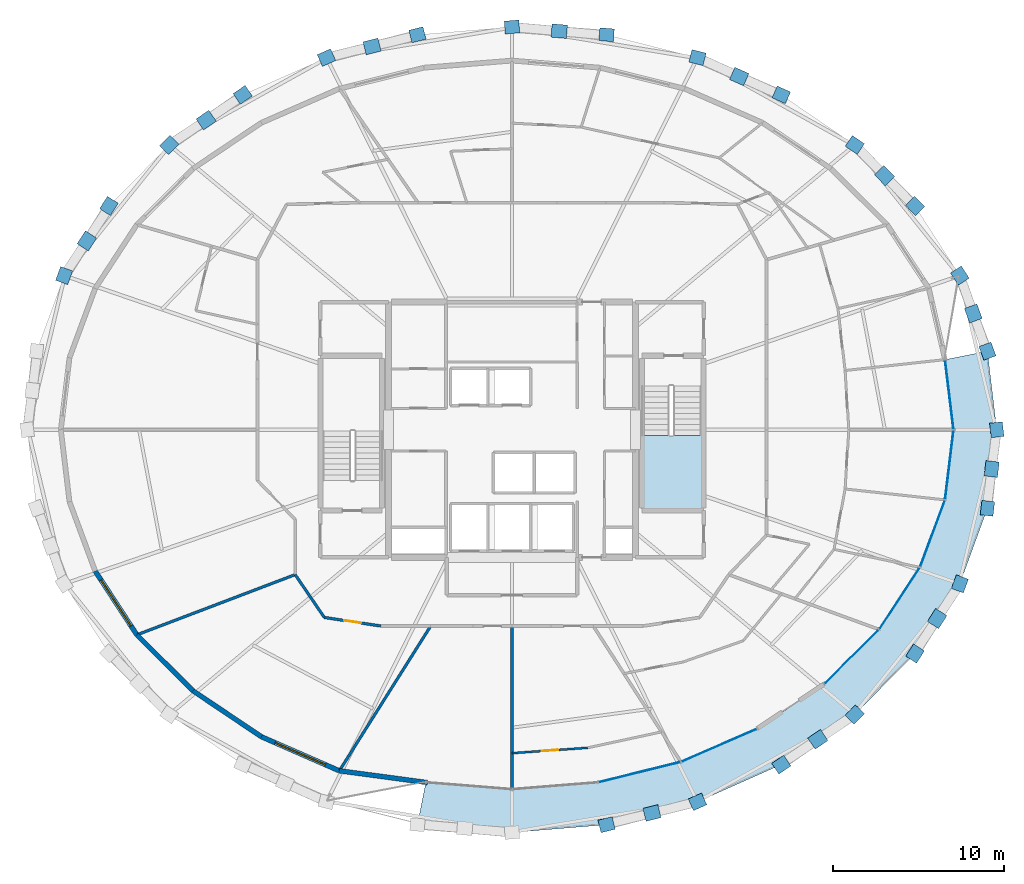
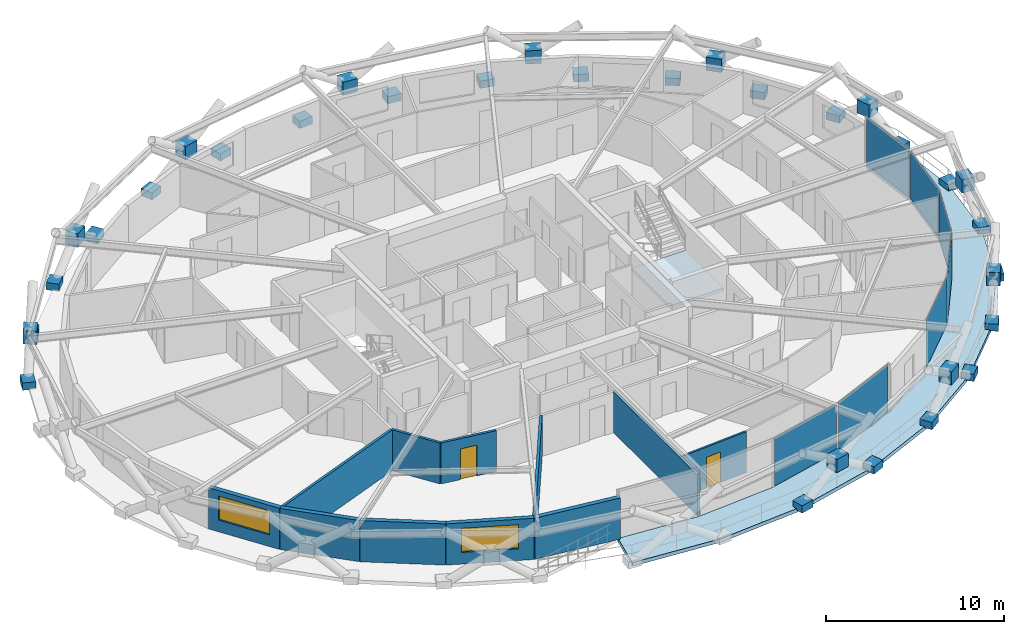
# One storey, part 14 of 20: 40 plates, 11 walls, 2 doors, 2 slabs, 2 windows, 4 openings, 3 elements without a shape of their own.
"""IFC4 building model written with IfcOpenShell, lengths in metres."""

from ifc_helpers import new_model, si_unit, direction, frame, frame_2d, origin, origin_2d, place, context, subcontext, project, spatial, polyline, rectangle, outline, extrude, material, layer, layer_set, type_object, element, fill, aggregate, save


model = new_model("IFC4")

# Units and contexts
model_context = context("Model", 3, precision=1e-05, world=origin(), true_north=direction((0.0, 1.0)))
body_context = subcontext(model_context, "Body", "Model", "MODEL_VIEW")
ifc_project = project(units=[si_unit("LENGTHUNIT", "METRE"), si_unit("AREAUNIT", "SQUARE_METRE"), si_unit("VOLUMEUNIT", "CUBIC_METRE"), si_unit("PLANEANGLEUNIT", "RADIAN"), si_unit("MASSUNIT", "GRAM", prefix="KILO")], contexts=[model_context])

# Site, building, storey
site_placement = place(None, origin())
site = spatial("IfcSite", under=ifc_project, at=site_placement, CompositionType="ELEMENT")
building_placement = place(site_placement, origin())
building = spatial("IfcBuilding", under=site, at=building_placement, Name="Veldorina Hangang Commons", CompositionType="ELEMENT")
storey_placement = place(building_placement, frame((0.0, 0.0, 153.199951171875)))
storey = spatial("IfcBuildingStorey", under=building, at=storey_placement, Name="L39", CompositionType="ELEMENT", Elevation=153.199951171875)

# Curtain wall, plates
ifc_material_1 = material(Name="Glass Low-E Triple IGU", Category="glass")
ifc_layer_1 = layer(ifc_material_1, 0.179931640625)
ifc_layer_set_1 = layer_set([ifc_layer_1], Name="Glass Low-E Triple IGU")
curtain_wall_type = type_object("IfcCurtainWallType", Name="CW-SYS-Z2", PredefinedType="NOTDEFINED", material=ifc_layer_set_1)
curtain_wall_1_placement = place(storey_placement, origin())
curtain_wall_1 = element("IfcCurtainWall", 1, at=curtain_wall_1_placement, inside=storey, type_object=curtain_wall_type, Name="L39 unitised curtain wall CW-L39-R1", PredefinedType="NOTDEFINED")
ifc_layer_2 = layer(ifc_material_1, 0.0400390625)
ifc_layer_set_2 = layer_set([ifc_layer_2], Name="Glass Low-E Triple IGU")
plate_type_1 = type_object("IfcPlateType", Name="CW-PNL-VIS", PredefinedType="CURTAIN_PANEL", material=ifc_layer_set_2)
plate_1_placement = place(storey_placement, frame((39.44189453125, 4.0234375, 0.01513671875), z_axis=(0.0, 0.0, 1.0), x_axis=(0.970825393657, 0.239787520592, 0.0)))
plate_1 = element("IfcPlate", 2, at=plate_1_placement, type_object=plate_type_1, Name="CW-L39-R1 facet 3 glazed vision panel", PredefinedType="CURTAIN_PANEL", context=body_context, shape_type="SweptSolid", body=[
    extrude(rectangle(XDim=4.7978515625, YDim=0.0400390625, at=origin_2d()), origin(), (0.0, 0.0, 1.0), 3.280029296875),
])
plate_2_placement = place(storey_placement, frame((44.0849609375, 5.589599609375, 0.01513671875), z_axis=(0.0, 0.0, 1.0), x_axis=(0.916906898134, 0.399101165312, 0.0)))
plate_2 = element("IfcPlate", 3, at=plate_2_placement, type_object=plate_type_1, Name="CW-L39-R1 facet 4 glazed vision panel", PredefinedType="CURTAIN_PANEL", context=body_context, shape_type="SweptSolid", body=[
    extrude(rectangle(XDim=4.67724609375, YDim=0.0400390625, at=origin_2d()), origin(), (0.0, 0.0, 1.0), 3.280029296875),
])
aggregate(curtain_wall_1, [plate_1, plate_2])

curtain_wall_2_placement = place(storey_placement, origin())
curtain_wall_2 = element("IfcCurtainWall", 4, at=curtain_wall_2_placement, inside=storey, type_object=curtain_wall_type, Name="L39 unitised curtain wall CW-L39-R2", PredefinedType="NOTDEFINED")
plate_3_placement = place(storey_placement, frame((51.8173828125, 10.7568359375, 0.01513671875), z_axis=(0.0, 0.0, 1.0), x_axis=(0.709865830765, 0.70433692386, 0.0)))
plate_3 = element("IfcPlate", 5, at=plate_3_placement, type_object=plate_type_1, Name="CW-L39-R2 facet 1 glazed vision panel", PredefinedType="CURTAIN_PANEL", context=body_context, shape_type="SweptSolid", body=[
    extrude(rectangle(XDim=4.3330078125, YDim=0.0400390625, at=origin_2d()), origin(), (0.0, 0.0, 1.0), 3.280029296875),
])
plate_4_placement = place(storey_placement, frame((54.609375, 14.159423828125, 0.01513671875), z_axis=(0.0, 0.0, 1.0), x_axis=(0.548745623599, 0.83598937827, 0.0)))
plate_4 = element("IfcPlate", 6, at=plate_4_placement, type_object=plate_type_1, Name="CW-L39-R2 facet 2 glazed vision panel", PredefinedType="CURTAIN_PANEL", context=body_context, shape_type="SweptSolid", body=[
    extrude(rectangle(XDim=4.158203125, YDim=0.0400390625, at=origin_2d()), origin(), (0.0, 0.0, 1.0), 3.280029296875),
])
plate_5_placement = place(storey_placement, frame((56.53271484375, 17.940185546875, 0.01513671875), z_axis=(0.0, 0.0, 1.0), x_axis=(0.349095469945, 0.937087163963, 0.0)))
plate_5 = element("IfcPlate", 7, at=plate_5_placement, type_object=plate_type_1, Name="CW-L39-R2 facet 3 glazed vision panel", PredefinedType="CURTAIN_PANEL", context=body_context, shape_type="SweptSolid", body=[
    extrude(rectangle(XDim=4.019287109375, YDim=0.0400390625, at=origin_2d()), origin(), (0.0, 0.0, 1.0), 3.280029296875),
])
plate_6_placement = place(storey_placement, frame((57.51318359375, 21.953857421875, 0.01513671875), z_axis=(0.0, 0.0, 1.0), x_axis=(0.120084858017, 0.992763630919, 0.0)))
plate_6 = element("IfcPlate", 8, at=plate_6_placement, type_object=plate_type_1, Name="CW-L39-R2 facet 4 glazed vision panel", PredefinedType="CURTAIN_PANEL", context=body_context, shape_type="SweptSolid", body=[
    extrude(rectangle(XDim=3.942138671875, YDim=0.0400390625, at=origin_2d()), origin(), (0.0, 0.0, 1.0), 3.280029296875),
])
plate_7_placement = place(storey_placement, frame((57.51318359375, 26.046142578125, 0.01513671875), z_axis=(0.0, 0.0, 1.0), x_axis=(-0.120084858017, 0.992763630919, 0.0)))
plate_7 = element("IfcPlate", 9, at=plate_7_placement, type_object=plate_type_1, Name="CW-L39-R2 facet 5 glazed vision panel", PredefinedType="CURTAIN_PANEL", context=body_context, shape_type="SweptSolid", body=[
    extrude(rectangle(XDim=3.942138671875, YDim=0.0400390625, at=origin_2d()), origin(), (0.0, 0.0, 1.0), 3.280029296875),
])
aggregate(curtain_wall_2, [plate_3, plate_4, plate_5, plate_6, plate_7])

# Plates
ifc_material_2 = material(Name="Steel SM460-TMC", Category="steel")
ifc_layer_3 = layer(ifc_material_2, 0.035888671875)
ifc_layer_set_3 = layer_set([ifc_layer_3], Name="Steel SM460-TMC")
plate_type_2 = type_object("IfcPlateType", Name="PL-STAR-36", PredefinedType="USERDEFINED", material=ifc_layer_set_3)
for number, where, z_axis, x_axis, name in (
    (10, (60.280517578125, 24.0, -0.08984375), (0.0, 0.0, 1.0), (-0.117728050748, 0.993045873093, 0.0), "L39 diagrid star-node gusset plate 00"),
    (11, (59.7373046875, 28.583984375, -0.08984375), (0.0, 0.0, 1.0), (-0.342954815543, 0.939351901311, 0.0), "L39 diagrid star-node gusset plate 01"),
):
    element("IfcPlate", number, at=place(storey_placement, frame(where, z_axis=z_axis, x_axis=x_axis)), inside=storey, type_object=plate_type_2, Name=name, ObjectType="GUSSET PLATE", PredefinedType="USERDEFINED", context=body_context, shape_type="SweptSolid", body=[
        extrude(rectangle(XDim=0.85009765625, YDim=0.75, at=origin_2d()), origin(), (0.0, 0.0, 1.0), 0.5),
    ])
plate_8_placement = place(storey_placement, frame((58.910888671875, 30.783203125, 1.351318359375), z_axis=(0.0, 0.0, 1.0), x_axis=(-0.342954815543, 0.939351901311, 0.0)))
element("IfcPlate", 12, at=plate_8_placement, inside=storey, type_object=plate_type_2, Name="L39 diagrid X-crossing star-node gusset plate 01", ObjectType="GUSSET PLATE", PredefinedType="USERDEFINED", context=body_context, shape_type="SweptSolid", body=[
    extrude(rectangle(XDim=0.89990234375, YDim=0.780029296875, at=origin_2d()), origin(), (0.0, 0.0, 1.0), 0.89990234375),
])
for number, where, z_axis, x_axis, name in (
    (13, (58.1279296875, 32.99169921875, -0.08984375), (0.0, 0.0, 1.0), (-0.541047863808, 0.840991800834, 0.0), "L39 diagrid star-node gusset plate 02"),
    (14, (55.514404296875, 37.053955078125, -0.08984375), (0.0, 0.0, 1.0), (-0.702749312072, 0.71143756183, 0.0), "L39 diagrid star-node gusset plate 03"),
):
    element("IfcPlate", number, at=place(storey_placement, frame(where, z_axis=z_axis, x_axis=x_axis)), inside=storey, type_object=plate_type_2, Name=name, ObjectType="GUSSET PLATE", PredefinedType="USERDEFINED", context=body_context, shape_type="SweptSolid", body=[
        extrude(rectangle(XDim=0.85009765625, YDim=0.75, at=origin_2d()), origin(), (0.0, 0.0, 1.0), 0.5),
    ])
plate_9_placement = place(storey_placement, frame((53.738525390625, 38.82421875, 1.351318359375), z_axis=(0.0, 0.0, 1.0), x_axis=(-0.702749312072, 0.71143756183, 0.0)))
element("IfcPlate", 15, at=plate_9_placement, inside=storey, type_object=plate_type_2, Name="L39 diagrid X-crossing star-node gusset plate 03", ObjectType="GUSSET PLATE", PredefinedType="USERDEFINED", context=body_context, shape_type="SweptSolid", body=[
    extrude(rectangle(XDim=0.89990234375, YDim=0.780029296875, at=origin_2d()), origin(), (0.0, 0.0, 1.0), 0.89990234375),
])
for number, where, z_axis, x_axis, name in (
    (16, (51.997314453125, 40.614501953125, -0.08984375), (0.0, 0.0, 1.0), (-0.826226133235, 0.563338598677, 0.0), "L39 diagrid star-node gusset plate 04"),
    (17, (47.7119140625, 43.53662109375, -0.08984375), (0.0, 0.0, 1.0), (-0.91393547583, 0.405859515128, 0.0), "L39 diagrid star-node gusset plate 05"),
):
    element("IfcPlate", number, at=place(storey_placement, frame(where, z_axis=z_axis, x_axis=x_axis)), inside=storey, type_object=plate_type_2, Name=name, ObjectType="GUSSET PLATE", PredefinedType="USERDEFINED", context=body_context, shape_type="SweptSolid", body=[
        extrude(rectangle(XDim=0.85009765625, YDim=0.75, at=origin_2d()), origin(), (0.0, 0.0, 1.0), 0.5),
    ])
plate_10_placement = place(storey_placement, frame((45.256591796875, 44.608154296875, 1.3515625), z_axis=(0.0, 0.0, 1.0), x_axis=(-0.91393547583, 0.405859515128, 0.0)))
element("IfcPlate", 18, at=plate_10_placement, inside=storey, type_object=plate_type_2, Name="L39 diagrid X-crossing star-node gusset plate 05", ObjectType="GUSSET PLATE", PredefinedType="USERDEFINED", context=body_context, shape_type="SweptSolid", body=[
    extrude(rectangle(XDim=0.89990234375, YDim=0.780029296875, at=origin_2d()), origin(), (0.0, 0.0, 1.0), 0.89990234375),
])
for number, where, z_axis, x_axis, name in (
    (19, (42.822509765625, 45.707763671875, -0.08984375), (0.0, 0.0, 1.0), (-0.969676116063, 0.244393596348, 0.0), "L39 diagrid star-node gusset plate 06"),
    (20, (37.517333984375, 47.044921875, -0.08984375), (0.0, 0.0, 1.0), (-0.996668775476, 0.081555821314, 0.0), "L39 diagrid star-node gusset plate 07"),
):
    element("IfcPlate", number, at=place(storey_placement, frame(where, z_axis=z_axis, x_axis=x_axis)), inside=storey, type_object=plate_type_2, Name=name, ObjectType="GUSSET PLATE", PredefinedType="USERDEFINED", context=body_context, shape_type="SweptSolid", body=[
        extrude(rectangle(XDim=0.85009765625, YDim=0.75, at=origin_2d()), origin(), (0.0, 0.0, 1.0), 0.5),
    ])
plate_11_placement = place(storey_placement, frame((34.75634765625, 47.2548828125, 1.3515625), z_axis=(0.0, 0.0, 1.0), x_axis=(-0.996668775476, 0.081555821314, 0.0)))
element("IfcPlate", 21, at=plate_11_placement, inside=storey, type_object=plate_type_2, Name="L39 diagrid X-crossing star-node gusset plate 07", ObjectType="GUSSET PLATE", PredefinedType="USERDEFINED", context=body_context, shape_type="SweptSolid", body=[
    extrude(rectangle(XDim=0.89990234375, YDim=0.780029296875, at=origin_2d()), origin(), (0.0, 0.0, 1.0), 0.89990234375),
])
for number, where, z_axis, x_axis, name in (
    (22, (32.0, 47.496337890625, -0.08984375), (0.0, 0.0, 1.0), (-0.996668775476, -0.081555821314, 0.0), "L39 diagrid star-node gusset plate 08"),
    (23, (26.482666015625, 47.044921875, -0.08984375), (0.0, 0.0, 1.0), (-0.969676116063, -0.244393596348, 0.0), "L39 diagrid star-node gusset plate 09"),
):
    element("IfcPlate", number, at=place(storey_placement, frame(where, z_axis=z_axis, x_axis=x_axis)), inside=storey, type_object=plate_type_2, Name=name, ObjectType="GUSSET PLATE", PredefinedType="USERDEFINED", context=body_context, shape_type="SweptSolid", body=[
        extrude(rectangle(XDim=0.85009765625, YDim=0.75, at=origin_2d()), origin(), (0.0, 0.0, 1.0), 0.5),
    ])
plate_12_placement = place(storey_placement, frame((23.836669921875, 46.361083984375, 1.3515625), z_axis=(0.0, 0.0, 1.0), x_axis=(-0.969676116063, -0.244393596348, 0.0)))
element("IfcPlate", 24, at=plate_12_placement, inside=storey, type_object=plate_type_2, Name="L39 diagrid X-crossing star-node gusset plate 09", ObjectType="GUSSET PLATE", PredefinedType="USERDEFINED", context=body_context, shape_type="SweptSolid", body=[
    extrude(rectangle(XDim=0.89990234375, YDim=0.780029296875, at=origin_2d()), origin(), (0.0, 0.0, 1.0), 0.89990234375),
])
for number, where, z_axis, x_axis, name in (
    (25, (21.177490234375, 45.707763671875, -0.08984375), (0.0, 0.0, 1.0), (-0.91393547583, -0.405859515128, 0.0), "L39 diagrid star-node gusset plate 10"),
    (26, (16.2880859375, 43.53662109375, -0.08984375), (0.0, 0.0, 1.0), (-0.826226133235, -0.563338598677, 0.0), "L39 diagrid star-node gusset plate 11"),
):
    element("IfcPlate", number, at=place(storey_placement, frame(where, z_axis=z_axis, x_axis=x_axis)), inside=storey, type_object=plate_type_2, Name=name, ObjectType="GUSSET PLATE", PredefinedType="USERDEFINED", context=body_context, shape_type="SweptSolid", body=[
        extrude(rectangle(XDim=0.85009765625, YDim=0.75, at=origin_2d()), origin(), (0.0, 0.0, 1.0), 0.5),
    ])
plate_13_placement = place(storey_placement, frame((14.159912109375, 42.06298828125, 1.3515625), z_axis=(0.0, 0.0, 1.0), x_axis=(-0.826226133235, -0.563338598677, 0.0)))
element("IfcPlate", 27, at=plate_13_placement, inside=storey, type_object=plate_type_2, Name="L39 diagrid X-crossing star-node gusset plate 11", ObjectType="GUSSET PLATE", PredefinedType="USERDEFINED", context=body_context, shape_type="SweptSolid", body=[
    extrude(rectangle(XDim=0.89990234375, YDim=0.780029296875, at=origin_2d()), origin(), (0.0, 0.0, 1.0), 0.89990234375),
])
for number, where, z_axis, x_axis, name in (
    (28, (12.002685546875, 40.614501953125, -0.08984375), (0.0, 0.0, 1.0), (-0.702749312072, -0.71143756183, 0.0), "L39 diagrid star-node gusset plate 12"),
    (29, (8.485595703125, 37.053955078125, -0.08984375), (0.0, 0.0, 1.0), (-0.541047863808, -0.840991800834, 0.0), "L39 diagrid star-node gusset plate 13"),
):
    element("IfcPlate", number, at=place(storey_placement, frame(where, z_axis=z_axis, x_axis=x_axis)), inside=storey, type_object=plate_type_2, Name=name, ObjectType="GUSSET PLATE", PredefinedType="USERDEFINED", context=body_context, shape_type="SweptSolid", body=[
        extrude(rectangle(XDim=0.85009765625, YDim=0.75, at=origin_2d()), origin(), (0.0, 0.0, 1.0), 0.5),
    ])
plate_14_placement = place(storey_placement, frame((7.198974609375, 35.01513671875, 1.351318359375), z_axis=(0.0, 0.0, 1.0), x_axis=(-0.541047863808, -0.840991800834, 0.0)))
element("IfcPlate", 30, at=plate_14_placement, inside=storey, type_object=plate_type_2, Name="L39 diagrid X-crossing star-node gusset plate 13", ObjectType="GUSSET PLATE", PredefinedType="USERDEFINED", context=body_context, shape_type="SweptSolid", body=[
    extrude(rectangle(XDim=0.89990234375, YDim=0.780029296875, at=origin_2d()), origin(), (0.0, 0.0, 1.0), 0.89990234375),
])
for number, where, z_axis, x_axis, name in (
    (31, (5.8720703125, 32.99169921875, -0.08984375), (0.0, 0.0, 1.0), (-0.342954815543, -0.939351901311, 0.0), "L39 diagrid star-node gusset plate 14"),
    (32, (37.517333984375, 0.955078125, -0.08984375), (0.0, 0.0, 1.0), (0.969676116063, 0.244393596348, 0.0), "L39 diagrid star-node gusset plate 25"),
):
    element("IfcPlate", number, at=place(storey_placement, frame(where, z_axis=z_axis, x_axis=x_axis)), inside=storey, type_object=plate_type_2, Name=name, ObjectType="GUSSET PLATE", PredefinedType="USERDEFINED", context=body_context, shape_type="SweptSolid", body=[
        extrude(rectangle(XDim=0.85009765625, YDim=0.75, at=origin_2d()), origin(), (0.0, 0.0, 1.0), 0.5),
    ])
plate_15_placement = place(storey_placement, frame((40.163330078125, 1.638916015625, 1.3515625), z_axis=(0.0, 0.0, 1.0), x_axis=(0.969676116063, 0.244393596348, 0.0)))
element("IfcPlate", 33, at=plate_15_placement, inside=storey, type_object=plate_type_2, Name="L39 diagrid X-crossing star-node gusset plate 25", ObjectType="GUSSET PLATE", PredefinedType="USERDEFINED", context=body_context, shape_type="SweptSolid", body=[
    extrude(rectangle(XDim=0.89990234375, YDim=0.780029296875, at=origin_2d()), origin(), (0.0, 0.0, 1.0), 0.89990234375),
])
for number, where, z_axis, x_axis, name in (
    (34, (42.822509765625, 2.292236328125, -0.08984375), (0.0, 0.0, 1.0), (0.91393547583, 0.405859515128, 0.0), "L39 diagrid star-node gusset plate 26"),
    (35, (47.7119140625, 4.46337890625, -0.08984375), (0.0, 0.0, 1.0), (0.826226133235, 0.563338598677, 0.0), "L39 diagrid star-node gusset plate 27"),
):
    element("IfcPlate", number, at=place(storey_placement, frame(where, z_axis=z_axis, x_axis=x_axis)), inside=storey, type_object=plate_type_2, Name=name, ObjectType="GUSSET PLATE", PredefinedType="USERDEFINED", context=body_context, shape_type="SweptSolid", body=[
        extrude(rectangle(XDim=0.85009765625, YDim=0.75, at=origin_2d()), origin(), (0.0, 0.0, 1.0), 0.5),
    ])
plate_16_placement = place(storey_placement, frame((49.840087890625, 5.93701171875, 1.3515625), z_axis=(0.0, 0.0, 1.0), x_axis=(0.826226133235, 0.563338598677, 0.0)))
element("IfcPlate", 36, at=plate_16_placement, inside=storey, type_object=plate_type_2, Name="L39 diagrid X-crossing star-node gusset plate 27", ObjectType="GUSSET PLATE", PredefinedType="USERDEFINED", context=body_context, shape_type="SweptSolid", body=[
    extrude(rectangle(XDim=0.89990234375, YDim=0.780029296875, at=origin_2d()), origin(), (0.0, 0.0, 1.0), 0.89990234375),
])
for number, where, z_axis, x_axis, name in (
    (37, (51.997314453125, 7.385498046875, -0.08984375), (0.0, 0.0, 1.0), (0.702749312072, 0.71143756183, 0.0), "L39 diagrid star-node gusset plate 28"),
    (38, (55.514404296875, 10.946044921875, -0.08984375), (0.0, 0.0, 1.0), (0.541047863808, 0.840991800834, 0.0), "L39 diagrid star-node gusset plate 29"),
):
    element("IfcPlate", number, at=place(storey_placement, frame(where, z_axis=z_axis, x_axis=x_axis)), inside=storey, type_object=plate_type_2, Name=name, ObjectType="GUSSET PLATE", PredefinedType="USERDEFINED", context=body_context, shape_type="SweptSolid", body=[
        extrude(rectangle(XDim=0.85009765625, YDim=0.75, at=origin_2d()), origin(), (0.0, 0.0, 1.0), 0.5),
    ])
plate_17_placement = place(storey_placement, frame((56.801025390625, 12.98486328125, 1.351318359375), z_axis=(0.0, 0.0, 1.0), x_axis=(0.541047863808, 0.840991800834, 0.0)))
element("IfcPlate", 39, at=plate_17_placement, inside=storey, type_object=plate_type_2, Name="L39 diagrid X-crossing star-node gusset plate 29", ObjectType="GUSSET PLATE", PredefinedType="USERDEFINED", context=body_context, shape_type="SweptSolid", body=[
    extrude(rectangle(XDim=0.89990234375, YDim=0.780029296875, at=origin_2d()), origin(), (0.0, 0.0, 1.0), 0.89990234375),
])
for number, where, z_axis, x_axis, name in (
    (40, (58.1279296875, 15.00830078125, -0.08984375), (0.0, 0.0, 1.0), (0.342954815543, 0.939351901311, 0.0), "L39 diagrid star-node gusset plate 30"),
    (41, (59.7373046875, 19.416015625, -0.08984375), (0.0, 0.0, 1.0), (0.117728050748, 0.993045873093, 0.0), "L39 diagrid star-node gusset plate 31"),
):
    element("IfcPlate", number, at=place(storey_placement, frame(where, z_axis=z_axis, x_axis=x_axis)), inside=storey, type_object=plate_type_2, Name=name, ObjectType="GUSSET PLATE", PredefinedType="USERDEFINED", context=body_context, shape_type="SweptSolid", body=[
        extrude(rectangle(XDim=0.85009765625, YDim=0.75, at=origin_2d()), origin(), (0.0, 0.0, 1.0), 0.5),
    ])
plate_18_placement = place(storey_placement, frame((59.986083984375, 21.709716796875, 1.351318359375), z_axis=(0.0, 0.0, 1.0), x_axis=(0.117728050748, 0.993045873093, 0.0)))
element("IfcPlate", 42, at=plate_18_placement, inside=storey, type_object=plate_type_2, Name="L39 diagrid X-crossing star-node gusset plate 31", ObjectType="GUSSET PLATE", PredefinedType="USERDEFINED", context=body_context, shape_type="SweptSolid", body=[
    extrude(rectangle(XDim=0.89990234375, YDim=0.780029296875, at=origin_2d()), origin(), (0.0, 0.0, 1.0), 0.89990234375),
])

# Slab
ifc_material_3 = material(Name="Concrete C40/50", Category="concrete")
ifc_layer_4 = layer(ifc_material_3, 0.25)
ifc_layer_set_4 = layer_set([ifc_layer_4], Name="Concrete C40/50")
slab_type_1 = type_object("IfcSlabType", Name="SL-FLR-250", PredefinedType="FLOOR", material=ifc_layer_set_4)
slab_1_placement = place(storey_placement, frame((0.0, 0.0, -0.25)))
element("IfcSlab", 43, at=slab_1_placement, inside=storey, type_object=slab_type_1, Name="L39 sky-garden loggia outdoor slab", PredefinedType="FLOOR", context=body_context, shape_type="SweptSolid", body=[
    extrude(outline(polyline([(59.7373046875, 28.583984375), (60.280517578125, 24.0), (59.7373046875, 19.416015625), (58.1279296875, 15.00830078125), (55.514404296875, 10.946044921875), (51.997314453125, 7.385498046875), (47.7119140625, 4.46337890625), (42.822509765625, 2.292236328125), (37.517333984375, 0.955078125), (32.0, 0.503662109375), (26.482666015625, 0.955078125), (26.97119140625, 3.410888671875), (26.975341796875, 3.41162109375), (31.998779296875, 3.008544921875), (32.0, 3.008544921875), (32.001220703125, 3.008544921875), (37.02685546875, 3.41162109375), (37.028076171875, 3.411865234375), (37.029296875, 3.412109375), (41.86181640625, 4.605712890625), (41.863037109375, 4.606201171875), (41.8642578125, 4.6064453125), (46.31787109375, 6.544921875), (46.319091796875, 6.545654296875), (46.320068359375, 6.54638671875), (50.223876953125, 9.15478515625), (50.22509765625, 9.15576171875), (50.22607421875, 9.15673828125), (53.4296875, 12.33544921875), (53.430908203125, 12.336669921875), (53.431640625, 12.337890625), (55.812255859375, 15.964599609375), (55.81298828125, 15.9658203125), (55.813720703125, 15.967529296875), (57.27978515625, 19.902587890625), (57.2802734375, 19.904296875), (57.280517578125, 19.906005859375), (57.775390625, 23.998291015625), (57.775634765625, 24.0), (57.775390625, 24.001708984375), (57.28076171875, 28.091796875), (57.281494140625, 28.095458984375), (59.7373046875, 28.583984375)])), origin(), (0.0, 0.0, 1.0), 0.25),
])

# Stair, slab
stair_type = type_object("IfcStairType", Name="STR-DOG-1650-20R", PredefinedType="HALF_TURN_STAIR", material=ifc_material_3)
stair_placement = place(storey_placement, origin())
stair = element("IfcStair", 44, at=stair_placement, inside=storey, type_object=stair_type, Name="L39 Exit stair ST-2", PredefinedType="HALF_TURN_STAIR")
ifc_layer_5 = layer(ifc_material_3, 0.199951171875)
ifc_layer_set_5 = layer_set([ifc_layer_5], Name="Concrete C40/50")
slab_type_2 = type_object("IfcSlabType", Name="SL-LND-200", PredefinedType="LANDING", material=ifc_layer_set_5)
slab_2_placement = place(storey_placement, frame((0.0, 0.0, 1.60009765625)))
slab_2 = element("IfcSlab", 45, at=slab_2_placement, type_object=slab_type_2, Name="ST-2 landing 1", PredefinedType="LANDING", context=body_context, shape_type="SweptSolid", body=[
    extrude(outline(polyline([(39.550048828125, 23.669921875), (39.550048828125, 19.39990234375), (43.050048828125, 19.39990234375), (43.050048828125, 23.669921875), (39.550048828125, 23.669921875)])), origin(), (0.0, 0.0, 1.0), 0.199951171875),
])
aggregate(stair, [slab_2])

# Wall, opening, window
ifc_material_4 = material(Name="Stone Roman Travertine", Category="masonry")
ifc_layer_6 = layer(ifc_material_4, 0.280029296875)
ifc_layer_set_6 = layer_set([ifc_layer_6], Name="Stone Roman Travertine")
wall_type_1 = type_object("IfcWallType", Name="EW-TRAV-280", PredefinedType="STANDARD", material=ifc_layer_set_6)
wall_1_placement = place(storey_placement, frame((7.682861328125, 15.75830078125, 0.0), z_axis=(0.0, 0.0, 1.0), x_axis=(0.546910623985, -0.837190999338, 0.0)))
wall_1 = element("IfcWall", 46, at=wall_1_placement, inside=storey, type_object=wall_type_1, Name="L39 travertine facade wall 18", PredefinedType="STANDARD", context=body_context, shape_type="SweptSolid", body=[
    extrude(rectangle(XDim=4.447509765625, YDim=0.280029296875, at=frame_2d((2.2236328125, 0.0))), origin(), (0.0, 0.0, 1.0), 2.820068359375),
])
opening_1_placement = place(wall_1_placement, frame((0.623779296875, 0.0, 0.800048828125)))
opening_1 = element("IfcOpeningElement", 47, at=opening_1_placement, cuts=wall_1, Name="Opening W-01", PredefinedType="OPENING", context=body_context, shape_type="SweptSolid", body=[
    extrude(rectangle(XDim=3.199951171875, YDim=1.64990234375, at=frame_2d((1.60009765625, 0.824951171875))), frame((0.0, 0.14990234375, 0.0), z_axis=(0.0, -1.0, 0.0), x_axis=(1.0, 0.0, 0.0)), (0.0, 0.0, 1.0), 0.300048828125),
])
window_type = type_object("IfcWindowType", Name="WIN-TWR-3200", PartitioningType="SINGLE_PANEL", PredefinedType="WINDOW", material=ifc_material_1)
window_1_placement = place(opening_1_placement, origin())
window_1 = element("IfcWindow", 48, at=window_1_placement, inside=storey, type_object=window_type, Name="L39 facade window 18", OverallHeight=1.64990234375, OverallWidth=3.199951171875, PartitioningType="SINGLE_PANEL", PredefinedType="WINDOW", context=body_context, shape_type="SweptSolid", body=[
    extrude(rectangle(XDim=3.199951171875, YDim=1.64990234375, at=frame_2d((1.60009765625, 0.824951171875))), frame((0.0, 0.030029296875, 0.0), z_axis=(0.0, -1.0, 0.0), x_axis=(1.0, 0.0, 0.0)), (0.0, 0.0, 1.0), 0.06005859375),
])
fill(opening_1, window_1)

# Walls
wall_2_placement = place(storey_placement, frame((10.115234375, 12.034912109375, 0.0), z_axis=(0.0, 0.0, 1.0), x_axis=(0.708162399008, -0.706049585108, 0.0)))
element("IfcWall", 49, at=wall_2_placement, inside=storey, type_object=wall_type_1, Name="L39 travertine facade wall 19", PredefinedType="STANDARD", context=body_context, shape_type="SweptSolid", body=[
    extrude(rectangle(XDim=4.6220703125, YDim=0.280029296875, at=frame_2d((2.31103515625, 0.0))), origin(), (0.0, 0.0, 1.0), 2.820068359375),
])
wall_3_placement = place(storey_placement, frame((13.388427734375, 8.771484375, 0.0), z_axis=(0.0, 0.0, 1.0), x_axis=(0.830192910363, -0.557476216158, 0.0)))
element("IfcWall", 50, at=wall_3_placement, inside=storey, type_object=wall_type_1, Name="L39 travertine facade wall 20", PredefinedType="STANDARD", context=body_context, shape_type="SweptSolid", body=[
    extrude(rectangle(XDim=4.8046875, YDim=0.280029296875, at=frame_2d((2.40234375, 0.0))), origin(), (0.0, 0.0, 1.0), 2.820068359375),
])

# Wall, opening, window
wall_4_placement = place(storey_placement, frame((17.377197265625, 6.093017578125, 0.0), z_axis=(0.0, 0.0, 1.0), x_axis=(0.916213737075, -0.400689890058, 0.0)))
wall_4 = element("IfcWall", 51, at=wall_4_placement, inside=storey, type_object=wall_type_1, Name="L39 travertine facade wall 21", PredefinedType="STANDARD", context=body_context, shape_type="SweptSolid", body=[
    extrude(rectangle(XDim=4.96630859375, YDim=0.280029296875, at=frame_2d((2.483154296875, 0.0))), origin(), (0.0, 0.0, 1.0), 2.820068359375),
])
opening_2_placement = place(wall_4_placement, frame((0.88330078125, 0.0, 0.800048828125)))
opening_2 = element("IfcOpeningElement", 52, at=opening_2_placement, cuts=wall_4, Name="Opening W-01", PredefinedType="OPENING", context=body_context, shape_type="SweptSolid", body=[
    extrude(rectangle(XDim=3.199951171875, YDim=1.64990234375, at=frame_2d((1.60009765625, 0.824951171875))), frame((0.0, 0.14990234375, 0.0), z_axis=(0.0, -1.0, 0.0), x_axis=(1.0, 0.0, 0.0)), (0.0, 0.0, 1.0), 0.300048828125),
])
window_2_placement = place(opening_2_placement, origin())
window_2 = element("IfcWindow", 53, at=window_2_placement, inside=storey, type_object=window_type, Name="L39 facade window 21", OverallHeight=1.64990234375, OverallWidth=3.199951171875, PartitioningType="SINGLE_PANEL", PredefinedType="WINDOW", context=body_context, shape_type="SweptSolid", body=[
    extrude(rectangle(XDim=3.199951171875, YDim=1.64990234375, at=frame_2d((1.60009765625, 0.824951171875))), frame((0.0, 0.030029296875, 0.0), z_axis=(0.0, -1.0, 0.0), x_axis=(1.0, 0.0, 0.0)), (0.0, 0.0, 1.0), 0.06005859375),
])
fill(opening_2, window_2)

# Walls
wall_5_placement = place(storey_placement, frame((21.927490234375, 4.10302734375, 0.0), z_axis=(0.0, 0.0, 1.0), x_axis=(0.991142142186, -0.132805323623, 0.0)))
element("IfcWall", 54, at=wall_5_placement, inside=storey, type_object=wall_type_1, Name="L39 travertine facade wall 22", PredefinedType="STANDARD", context=body_context, shape_type="SweptSolid", body=[
    extrude(rectangle(XDim=5.18408203125, YDim=0.280029296875, at=frame_2d((2.592041015625, 0.0))), origin(), (0.0, 0.0, 1.0), 2.820068359375),
])
ifc_material_5 = material(Name="Gypsum Fire-Rated Twin Stud Wall", Category="gypsum")
ifc_layer_7 = layer(ifc_material_5, 0.159912109375)
ifc_layer_set_7 = layer_set([ifc_layer_7], Name="Gypsum Fire-Rated Twin Stud Wall")
wall_type_2 = type_object("IfcWallType", Name="WL-FIRE-160", PredefinedType="SOLIDWALL", material=ifc_layer_set_7)
wall_6_placement = place(storey_placement, frame((19.35009765625, 15.547607421875, 0.0), z_axis=(0.0, 0.0, 1.0), x_axis=(0.562674669208, -0.826678423955, 0.0)))
element("IfcWall", 55, at=wall_6_placement, inside=storey, type_object=wall_type_2, Name="L39 U-corridor outer wall 19 065", PredefinedType="SOLIDWALL", context=body_context, shape_type="SweptSolid", body=[
    extrude(rectangle(XDim=3.021240234375, YDim=0.159912109375, at=frame_2d((1.5107421875, 0.0))), origin(), (0.0, 0.0, 1.0), 2.800048828125),
])

# Wall, opening, door
wall_7_placement = place(storey_placement, frame((21.050048828125, 13.050048828125, 0.0), z_axis=(0.0, 0.0, 1.0), x_axis=(0.988710906508, -0.149835721217, 0.0)))
wall_7 = element("IfcWall", 56, at=wall_7_placement, inside=storey, type_object=wall_type_2, Name="L39 U-corridor outer wall 20 066", PredefinedType="SOLIDWALL", context=body_context, shape_type="SweptSolid", body=[
    extrude(rectangle(XDim=3.3369140625, YDim=0.159912109375, at=frame_2d((1.66845703125, 0.0))), origin(), (0.0, 0.0, 1.0), 2.800048828125),
])
opening_3_placement = place(wall_7_placement, frame((1.16845703125, 0.0, 0.0)))
opening_3 = element("IfcOpeningElement", 57, at=opening_3_placement, cuts=wall_7, Name="Opening D-05", PredefinedType="OPENING", context=body_context, shape_type="SweptSolid", body=[
    extrude(rectangle(XDim=1.0, YDim=2.10009765625, at=frame_2d((0.5, 1.050048828125))), frame((0.0, 0.08984375, 0.0), z_axis=(0.0, -1.0, 0.0), x_axis=(1.0, 0.0, 0.0)), (0.0, 0.0, 1.0), 0.179931640625),
])
ifc_material_6 = material(Name="Timber Solid Core Acoustic", Category="wood")
door_type_1 = type_object("IfcDoorType", Name="DR-INT-1000", OperationType="SINGLE_SWING_RIGHT", PredefinedType="DOOR", material=ifc_material_6)
door_1_placement = place(opening_3_placement, origin())
door_1 = element("IfcDoor", 58, at=door_1_placement, inside=storey, type_object=door_type_1, Name="L39 Seminar Focus Room 8 door 040", OperationType="SINGLE_SWING_RIGHT", OverallHeight=2.10009765625, OverallWidth=1.0, PredefinedType="DOOR", context=body_context, shape_type="SweptSolid", body=[
    extrude(rectangle(XDim=1.0, YDim=2.10009765625, at=frame_2d((0.5, 1.050048828125))), frame((0.0, 0.02490234375, 0.0), z_axis=(0.0, -1.0, 0.0), x_axis=(1.0, 0.0, 0.0)), (0.0, 0.0, 1.0), 0.050048828125),
])
fill(opening_3, door_1)

# Walls
wall_8_placement = place(storey_placement, frame((19.35009765625, 15.547607421875, 0.0), z_axis=(0.0, 0.0, 1.0), x_axis=(-0.934670555549, -0.355515052549, 0.0)))
element("IfcWall", 59, at=wall_8_placement, inside=storey, type_object=wall_type_2, Name="L39 Unit party wall 19 114", PredefinedType="SOLIDWALL", context=body_context, shape_type="SweptSolid", body=[
    extrude(rectangle(XDim=9.83056640625, YDim=0.159912109375, at=frame_2d((4.915283203125, 0.0))), origin(), (0.0, 0.0, 1.0), 2.800048828125),
])
wall_9_placement = place(storey_placement, frame((27.25732421875, 12.550048828125, 0.0), z_axis=(0.0, 0.0, 1.0), x_axis=(-0.53362877713, -0.84571882338, 0.0)))
element("IfcWall", 60, at=wall_9_placement, inside=storey, type_object=wall_type_2, Name="L39 Unit party wall 22 115", PredefinedType="SOLIDWALL", context=body_context, shape_type="SweptSolid", body=[
    extrude(rectangle(XDim=9.93798828125, YDim=0.159912109375, at=frame_2d((4.968994140625, 0.0))), origin(), (0.0, 0.0, 1.0), 2.800048828125),
])
wall_10_placement = place(storey_placement, frame((32.0, 12.550048828125, 0.0), z_axis=(0.0, 0.0, 1.0), x_axis=(0.0, -1.0, 0.0)))
element("IfcWall", 61, at=wall_10_placement, inside=storey, type_object=wall_type_2, Name="L39 Unit party wall 24 116", PredefinedType="SOLIDWALL", context=body_context, shape_type="SweptSolid", body=[
    extrude(rectangle(XDim=9.4765625, YDim=0.159912109375, at=frame_2d((4.73828125, 0.0))), origin(), (0.0, 0.0, 1.0), 2.800048828125),
])

# Wall, opening, door
ifc_material_7 = material(Name="Gypsum Acoustic Stud Partition", Category="gypsum")
ifc_layer_8 = layer(ifc_material_7, 0.1201171875)
ifc_layer_set_8 = layer_set([ifc_layer_8], Name="Gypsum Acoustic Stud Partition")
wall_type_3 = type_object("IfcWallType", Name="WL-PART-120", PredefinedType="PARTITIONING", material=ifc_layer_set_8)
wall_11_placement = place(storey_placement, frame((32.0, 5.131591796875, 0.0), z_axis=(0.0, 0.0, 1.0), x_axis=(0.997483822836, 0.070894450987, 0.0)))
wall_11 = element("IfcWall", 62, at=wall_11_placement, inside=storey, type_object=wall_type_3, Name="L39 Laundry split 0 117", PredefinedType="PARTITIONING", context=body_context, shape_type="SweptSolid", body=[
    extrude(rectangle(XDim=4.4287109375, YDim=0.1201171875, at=frame_2d((2.21435546875, 0.0))), origin(), (0.0, 0.0, 1.0), 2.800048828125),
])
opening_4_placement = place(wall_11_placement, frame((1.7392578125, 0.0, 0.0)))
opening_4 = element("IfcOpeningElement", 63, at=opening_4_placement, cuts=wall_11, Name="Opening D-02", PredefinedType="OPENING", context=body_context, shape_type="SweptSolid", body=[
    extrude(rectangle(XDim=0.949951171875, YDim=2.10009765625, at=frame_2d((0.47509765625, 1.050048828125))), frame((0.0, 0.070068359375, 0.0), z_axis=(0.0, -1.0, 0.0), x_axis=(1.0, 0.0, 0.0)), (0.0, 0.0, 1.0), 0.14013671875),
])
door_type_2 = type_object("IfcDoorType", Name="DR-INT-950", OperationType="SINGLE_SWING_LEFT", PredefinedType="DOOR", material=ifc_material_6)
door_2_placement = place(opening_4_placement, origin())
door_2 = element("IfcDoor", 64, at=door_2_placement, inside=storey, type_object=door_type_2, Name="L39 Resident laundry inner door 043", OperationType="SINGLE_SWING_LEFT", OverallHeight=2.10009765625, OverallWidth=0.949951171875, PredefinedType="DOOR", context=body_context, shape_type="SweptSolid", body=[
    extrude(rectangle(XDim=0.949951171875, YDim=2.10009765625, at=frame_2d((0.47509765625, 1.050048828125))), frame((0.0, 0.02490234375, 0.0), z_axis=(0.0, -1.0, 0.0), x_axis=(1.0, 0.0, 0.0)), (0.0, 0.0, 1.0), 0.050048828125),
])
fill(opening_4, door_2)

save(model, "model.ifc")
